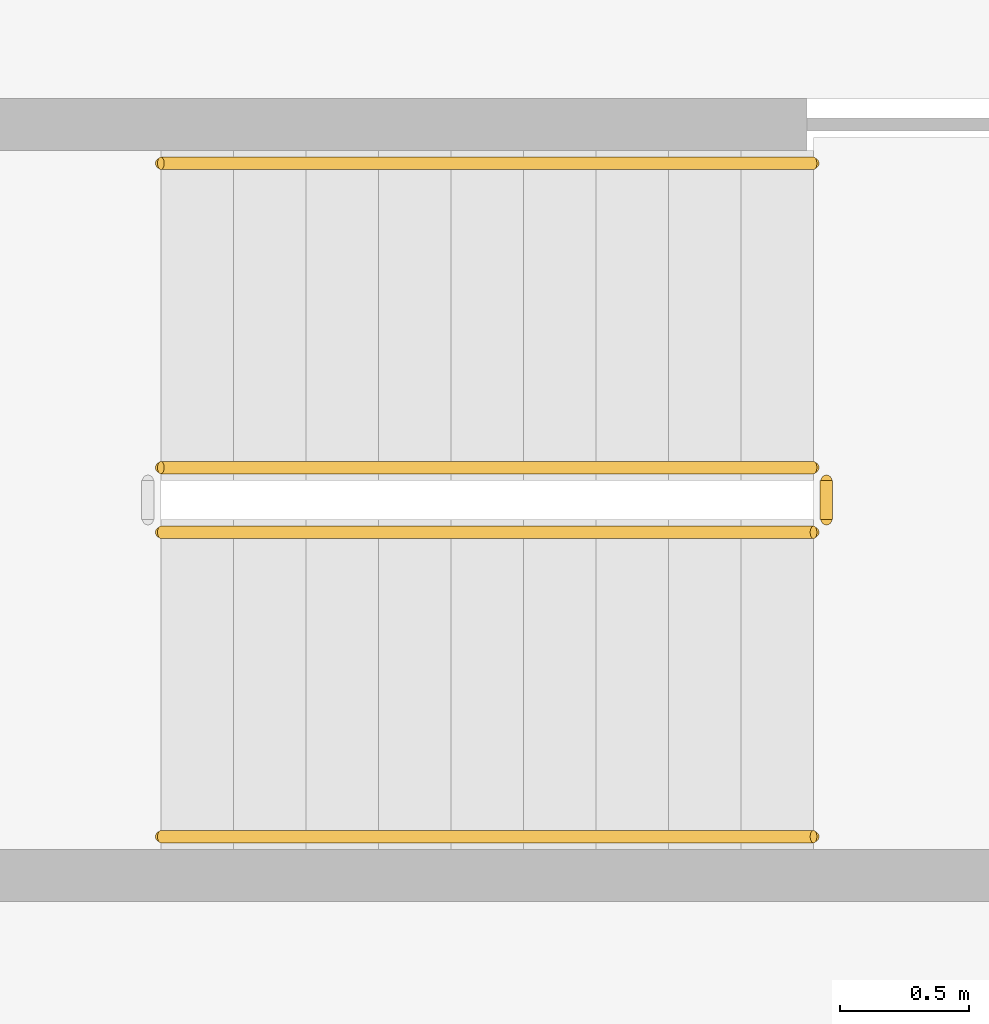
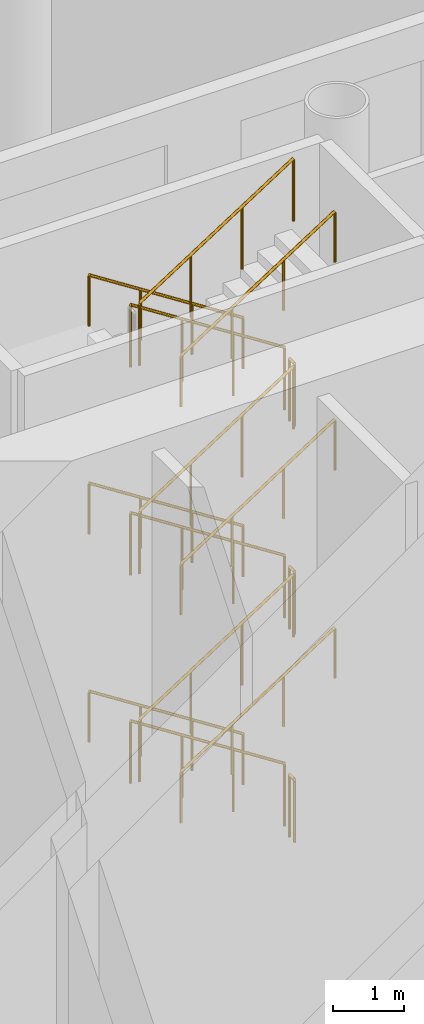
# One storey, part 17 of 18: 15 railings.
"""IFC4 building model written with IfcOpenShell, lengths in metres."""

from ifc_helpers import new_model, si_unit, direction, frame, origin, origin_2d, place, context, subcontext, project, spatial, circle, extrude, material, type_object, element, save


model = new_model("IFC4")

# Units and contexts
model_context = context("Model", 3, precision=1e-05, world=origin(), true_north=direction((0.0, 1.0)))
body_context = subcontext(model_context, "Body", "Model", "MODEL_VIEW")
ifc_project = project(units=[si_unit("LENGTHUNIT", "METRE"), si_unit("AREAUNIT", "SQUARE_METRE"), si_unit("VOLUMEUNIT", "CUBIC_METRE"), si_unit("PLANEANGLEUNIT", "RADIAN"), si_unit("MASSUNIT", "GRAM", prefix="KILO")], contexts=[model_context])

# Site, building, storey
site_placement = place(None, origin())
site = spatial("IfcSite", under=ifc_project, at=site_placement, CompositionType="ELEMENT")
building_placement = place(site_placement, origin())
building = spatial("IfcBuilding", under=site, at=building_placement, Name="Tskaro Facet Tower", CompositionType="ELEMENT")
storey_placement = place(building_placement, origin())
storey = spatial("IfcBuildingStorey", under=building, at=storey_placement, Name="L00", CompositionType="ELEMENT", Elevation=0.0)

# Railings
ifc_material = material(Name="Stainless steel", Category="steel")
railing_type_1 = type_object("IfcRailingType", Name="RL-GUARD-1100", PredefinedType="GUARDRAIL", material=ifc_material)
railing_1_placement = place(storey_placement, frame((-2.02490234375, 6.97509765625, 0.179931640625)))
element("IfcRailing", 1, at=railing_1_placement, inside=storey, type_object=railing_type_1, Name="L00 ST-3 stair guard 1", PredefinedType="GUARDRAIL", context=body_context, shape_type="SweptSolid", body=[
    extrude(circle(Radius=0.02392578125, at=origin_2d()), frame((0.0, 0.0, 1.076171875), z_axis=(-0.841162588446, 0.0, 0.540782303519), x_axis=(0.0, -1.0, 0.0)), (0.0, 0.0, 1.0), 2.995849609375),
    extrude(circle(Radius=0.02099609375, at=origin_2d()), origin(), (0.0, 0.0, 1.0), 1.052001953125),
    extrude(circle(Radius=0.02099609375, at=origin_2d()), frame((-0.840087890625, 0.0, 0.5400390625)), (0.0, 0.0, 1.0), 1.052001953125),
    extrude(circle(Radius=0.02099609375, at=origin_2d()), frame((-1.679931640625, 0.0, 1.080078125)), (0.0, 0.0, 1.0), 1.052001953125),
    extrude(circle(Radius=0.02099609375, at=origin_2d()), frame((-2.52001953125, 0.0, 1.6201171875)), (0.0, 0.0, 1.0), 1.052001953125),
])
railing_2_placement = place(storey_placement, frame((-4.544921875, 6.72509765625, 1.97998046875)))
element("IfcRailing", 2, at=railing_2_placement, inside=storey, type_object=railing_type_1, Name="L00 ST-3 stair guard 3", PredefinedType="GUARDRAIL", context=body_context, shape_type="SweptSolid", body=[
    extrude(circle(Radius=0.02392578125, at=origin_2d()), frame((0.0, 0.0, 1.076171875), z_axis=(0.841162588446, 0.0, 0.540782303519), x_axis=(0.0, 1.0, 0.0)), (0.0, 0.0, 1.0), 2.995849609375),
    extrude(circle(Radius=0.02099609375, at=origin_2d()), origin(), (0.0, 0.0, 1.0), 1.052001953125),
    extrude(circle(Radius=0.02099609375, at=origin_2d()), frame((0.840087890625, 0.0, 0.5400390625)), (0.0, 0.0, 1.0), 1.052001953125),
    extrude(circle(Radius=0.02099609375, at=origin_2d()), frame((1.679931640625, 0.0, 1.080078125)), (0.0, 0.0, 1.0), 1.052001953125),
    extrude(circle(Radius=0.02099609375, at=origin_2d()), frame((2.52001953125, 0.0, 1.6201171875)), (0.0, 0.0, 1.0), 1.052001953125),
])
railing_3_placement = place(storey_placement, frame((-1.97509765625, 6.925048828125, 3.60009765625)))
element("IfcRailing", 3, at=railing_3_placement, inside=storey, type_object=railing_type_1, Name="L00 ST-3 stair guard 4", PredefinedType="GUARDRAIL", context=body_context, shape_type="SweptSolid", body=[
    extrude(circle(Radius=0.02392578125, at=origin_2d()), frame((0.0, 0.0, 1.076171875), z_axis=(0.0, -1.0, 0.0), x_axis=(1.0, 0.0, 0.0)), (0.0, 0.0, 1.0), 0.150146484375),
    extrude(circle(Radius=0.02099609375, at=origin_2d()), origin(), (0.0, 0.0, 1.0), 1.052001953125),
    extrude(circle(Radius=0.02099609375, at=origin_2d()), frame((0.0, -0.150146484375, 0.0)), (0.0, 0.0, 1.0), 1.052001953125),
])
railing_4_placement = place(storey_placement, frame((-2.02490234375, 6.97509765625, 3.780029296875)))
element("IfcRailing", 4, at=railing_4_placement, inside=storey, type_object=railing_type_1, Name="L00 ST-3 stair guard 5", PredefinedType="GUARDRAIL", context=body_context, shape_type="SweptSolid", body=[
    extrude(circle(Radius=0.02392578125, at=origin_2d()), frame((0.0, 0.0, 1.076171875), z_axis=(-0.841199657755, 0.0, 0.540724639528), x_axis=(0.0, -1.0, 0.0)), (0.0, 0.0, 1.0), 2.995849609375),
    extrude(circle(Radius=0.02099609375, at=origin_2d()), origin(), (0.0, 0.0, 1.0), 1.052001953125),
    extrude(circle(Radius=0.02099609375, at=origin_2d()), frame((-0.840087890625, 0.0, 0.5400390625)), (0.0, 0.0, 1.0), 1.052001953125),
    extrude(circle(Radius=0.02099609375, at=origin_2d()), frame((-1.679931640625, 0.0, 1.079833984375)), (0.0, 0.0, 1.0), 1.052001953125),
    extrude(circle(Radius=0.02099609375, at=origin_2d()), frame((-2.52001953125, 0.0, 1.619873046875)), (0.0, 0.0, 1.0), 1.052001953125),
])
railing_5_placement = place(storey_placement, frame((-4.544921875, 6.72509765625, 5.580078125)))
element("IfcRailing", 5, at=railing_5_placement, inside=storey, type_object=railing_type_1, Name="L00 ST-3 stair guard 7", PredefinedType="GUARDRAIL", context=body_context, shape_type="SweptSolid", body=[
    extrude(circle(Radius=0.02392578125, at=origin_2d()), frame((0.0, 0.0, 1.076171875), z_axis=(0.841199657755, 0.0, 0.540724639528), x_axis=(0.0, 1.0, 0.0)), (0.0, 0.0, 1.0), 2.995849609375),
    extrude(circle(Radius=0.02099609375, at=origin_2d()), origin(), (0.0, 0.0, 1.0), 1.052001953125),
    extrude(circle(Radius=0.02099609375, at=origin_2d()), frame((0.840087890625, 0.0, 0.5400390625)), (0.0, 0.0, 1.0), 1.052001953125),
    extrude(circle(Radius=0.02099609375, at=origin_2d()), frame((1.679931640625, 0.0, 1.079833984375)), (0.0, 0.0, 1.0), 1.052001953125),
    extrude(circle(Radius=0.02099609375, at=origin_2d()), frame((2.52001953125, 0.0, 1.619873046875)), (0.0, 0.0, 1.0), 1.052001953125),
])
railing_6_placement = place(storey_placement, frame((-1.97509765625, 6.925048828125, 7.199951171875)))
element("IfcRailing", 6, at=railing_6_placement, inside=storey, type_object=railing_type_1, Name="L00 ST-3 stair guard 8", PredefinedType="GUARDRAIL", context=body_context, shape_type="SweptSolid", body=[
    extrude(circle(Radius=0.02392578125, at=origin_2d()), frame((0.0, 0.0, 1.076171875), z_axis=(0.0, -1.0, 0.0), x_axis=(1.0, 0.0, 0.0)), (0.0, 0.0, 1.0), 0.150146484375),
    extrude(circle(Radius=0.02099609375, at=origin_2d()), origin(), (0.0, 0.0, 1.0), 1.052001953125),
    extrude(circle(Radius=0.02099609375, at=origin_2d()), frame((0.0, -0.150146484375, 0.0)), (0.0, 0.0, 1.0), 1.052001953125),
])
railing_7_placement = place(storey_placement, frame((-2.02490234375, 6.97509765625, 7.3798828125)))
element("IfcRailing", 7, at=railing_7_placement, inside=storey, type_object=railing_type_1, Name="L00 ST-3 stair guard 9", PredefinedType="GUARDRAIL", context=body_context, shape_type="SweptSolid", body=[
    extrude(circle(Radius=0.02392578125, at=origin_2d()), frame((0.0, 0.0, 1.076171875), z_axis=(-0.841162588446, 0.0, 0.540782303519), x_axis=(0.0, -1.0, 0.0)), (0.0, 0.0, 1.0), 2.995849609375),
    extrude(circle(Radius=0.02099609375, at=origin_2d()), origin(), (0.0, 0.0, 1.0), 1.052001953125),
    extrude(circle(Radius=0.02099609375, at=origin_2d()), frame((-0.840087890625, 0.0, 0.5400390625)), (0.0, 0.0, 1.0), 1.052001953125),
    extrude(circle(Radius=0.02099609375, at=origin_2d()), frame((-1.679931640625, 0.0, 1.080078125)), (0.0, 0.0, 1.0), 1.052001953125),
    extrude(circle(Radius=0.02099609375, at=origin_2d()), frame((-2.52001953125, 0.0, 1.6201171875)), (0.0, 0.0, 1.0), 1.052001953125),
])
railing_8_placement = place(storey_placement, frame((-4.544921875, 6.72509765625, 9.179931640625)))
element("IfcRailing", 8, at=railing_8_placement, inside=storey, type_object=railing_type_1, Name="L00 ST-3 stair guard 11", PredefinedType="GUARDRAIL", context=body_context, shape_type="SweptSolid", body=[
    extrude(circle(Radius=0.02392578125, at=origin_2d()), frame((0.0, 0.0, 1.076171875), z_axis=(0.841162588446, 0.0, 0.540782303519), x_axis=(0.0, 1.0, 0.0)), (0.0, 0.0, 1.0), 2.995849609375),
    extrude(circle(Radius=0.02099609375, at=origin_2d()), origin(), (0.0, 0.0, 1.0), 1.052001953125),
    extrude(circle(Radius=0.02099609375, at=origin_2d()), frame((0.840087890625, 0.0, 0.5400390625)), (0.0, 0.0, 1.0), 1.052001953125),
    extrude(circle(Radius=0.02099609375, at=origin_2d()), frame((1.679931640625, 0.0, 1.080078125)), (0.0, 0.0, 1.0), 1.052001953125),
    extrude(circle(Radius=0.02099609375, at=origin_2d()), frame((2.52001953125, 0.0, 1.6201171875)), (0.0, 0.0, 1.0), 1.052001953125),
])
railing_9_placement = place(storey_placement, frame((-1.97509765625, 6.925048828125, 0.0)))
element("IfcRailing", 9, at=railing_9_placement, inside=storey, type_object=railing_type_1, Name="L00 ST-3 stair guard 12", PredefinedType="GUARDRAIL", context=body_context, shape_type="SweptSolid", body=[
    extrude(circle(Radius=0.02392578125, at=origin_2d()), frame((0.0, 0.0, 1.076171875), z_axis=(0.0, -1.0, 0.0), x_axis=(1.0, 0.0, 0.0)), (0.0, 0.0, 1.0), 0.150146484375),
    extrude(circle(Radius=0.02099609375, at=origin_2d()), origin(), (0.0, 0.0, 1.0), 1.052001953125),
    extrude(circle(Radius=0.02099609375, at=origin_2d()), frame((0.0, -0.150146484375, 0.0)), (0.0, 0.0, 1.0), 1.052001953125),
])
railing_type_2 = type_object("IfcRailingType", Name="RL-HANDRAIL-900", PredefinedType="HANDRAIL", material=ifc_material)
railing_10_placement = place(storey_placement, frame((-2.02490234375, 8.14990234375, 0.179931640625)))
element("IfcRailing", 10, at=railing_10_placement, inside=storey, type_object=railing_type_2, Name="L00 ST-3 stair handrail 1", PredefinedType="HANDRAIL", context=body_context, shape_type="SweptSolid", body=[
    extrude(circle(Radius=0.02392578125, at=origin_2d()), frame((0.0, 0.0, 0.8759765625), z_axis=(-0.841162588446, 0.0, 0.540782303519), x_axis=(0.0, -1.0, 0.0)), (0.0, 0.0, 1.0), 2.995849609375),
    extrude(circle(Radius=0.02099609375, at=origin_2d()), origin(), (0.0, 0.0, 1.0), 0.851806640625),
    extrude(circle(Radius=0.02099609375, at=origin_2d()), frame((-0.840087890625, 0.0, 0.5400390625)), (0.0, 0.0, 1.0), 0.851806640625),
    extrude(circle(Radius=0.02099609375, at=origin_2d()), frame((-1.679931640625, 0.0, 1.080078125)), (0.0, 0.0, 1.0), 0.851806640625),
    extrude(circle(Radius=0.02099609375, at=origin_2d()), frame((-2.52001953125, 0.0, 1.6201171875)), (0.0, 0.0, 1.0), 0.851806640625),
])
railing_11_placement = place(storey_placement, frame((-4.544921875, 5.550048828125, 1.97998046875)))
element("IfcRailing", 11, at=railing_11_placement, inside=storey, type_object=railing_type_2, Name="L00 ST-3 stair handrail 2", PredefinedType="HANDRAIL", context=body_context, shape_type="SweptSolid", body=[
    extrude(circle(Radius=0.02392578125, at=origin_2d()), frame((0.0, 0.0, 0.8759765625), z_axis=(0.841162588446, 0.0, 0.540782303519), x_axis=(0.0, 1.0, 0.0)), (0.0, 0.0, 1.0), 2.995849609375),
    extrude(circle(Radius=0.02099609375, at=origin_2d()), origin(), (0.0, 0.0, 1.0), 0.851806640625),
    extrude(circle(Radius=0.02099609375, at=origin_2d()), frame((0.840087890625, 0.0, 0.5400390625)), (0.0, 0.0, 1.0), 0.851806640625),
    extrude(circle(Radius=0.02099609375, at=origin_2d()), frame((1.679931640625, 0.0, 1.080078125)), (0.0, 0.0, 1.0), 0.851806640625),
    extrude(circle(Radius=0.02099609375, at=origin_2d()), frame((2.52001953125, 0.0, 1.6201171875)), (0.0, 0.0, 1.0), 0.851806640625),
])
railing_12_placement = place(storey_placement, frame((-2.02490234375, 8.14990234375, 3.780029296875)))
element("IfcRailing", 12, at=railing_12_placement, inside=storey, type_object=railing_type_2, Name="L00 ST-3 stair handrail 3", PredefinedType="HANDRAIL", context=body_context, shape_type="SweptSolid", body=[
    extrude(circle(Radius=0.02392578125, at=origin_2d()), frame((0.0, 0.0, 0.8759765625), z_axis=(-0.841199657755, 0.0, 0.540724639528), x_axis=(0.0, -1.0, 0.0)), (0.0, 0.0, 1.0), 2.995849609375),
    extrude(circle(Radius=0.02099609375, at=origin_2d()), origin(), (0.0, 0.0, 1.0), 0.851806640625),
    extrude(circle(Radius=0.02099609375, at=origin_2d()), frame((-0.840087890625, 0.0, 0.5400390625)), (0.0, 0.0, 1.0), 0.851806640625),
    extrude(circle(Radius=0.02099609375, at=origin_2d()), frame((-1.679931640625, 0.0, 1.079833984375)), (0.0, 0.0, 1.0), 0.851806640625),
    extrude(circle(Radius=0.02099609375, at=origin_2d()), frame((-2.52001953125, 0.0, 1.619873046875)), (0.0, 0.0, 1.0), 0.851806640625),
])
railing_13_placement = place(storey_placement, frame((-4.544921875, 5.550048828125, 5.580078125)))
element("IfcRailing", 13, at=railing_13_placement, inside=storey, type_object=railing_type_2, Name="L00 ST-3 stair handrail 4", PredefinedType="HANDRAIL", context=body_context, shape_type="SweptSolid", body=[
    extrude(circle(Radius=0.02392578125, at=origin_2d()), frame((0.0, 0.0, 0.8759765625), z_axis=(0.841199657755, 0.0, 0.540724639528), x_axis=(0.0, 1.0, 0.0)), (0.0, 0.0, 1.0), 2.995849609375),
    extrude(circle(Radius=0.02099609375, at=origin_2d()), origin(), (0.0, 0.0, 1.0), 0.851806640625),
    extrude(circle(Radius=0.02099609375, at=origin_2d()), frame((0.840087890625, 0.0, 0.5400390625)), (0.0, 0.0, 1.0), 0.851806640625),
    extrude(circle(Radius=0.02099609375, at=origin_2d()), frame((1.679931640625, 0.0, 1.079833984375)), (0.0, 0.0, 1.0), 0.851806640625),
    extrude(circle(Radius=0.02099609375, at=origin_2d()), frame((2.52001953125, 0.0, 1.619873046875)), (0.0, 0.0, 1.0), 0.851806640625),
])
railing_14_placement = place(storey_placement, frame((-2.02490234375, 8.14990234375, 7.3798828125)))
element("IfcRailing", 14, at=railing_14_placement, inside=storey, type_object=railing_type_2, Name="L00 ST-3 stair handrail 5", PredefinedType="HANDRAIL", context=body_context, shape_type="SweptSolid", body=[
    extrude(circle(Radius=0.02392578125, at=origin_2d()), frame((0.0, 0.0, 0.8759765625), z_axis=(-0.841162588446, 0.0, 0.540782303519), x_axis=(0.0, -1.0, 0.0)), (0.0, 0.0, 1.0), 2.995849609375),
    extrude(circle(Radius=0.02099609375, at=origin_2d()), origin(), (0.0, 0.0, 1.0), 0.851806640625),
    extrude(circle(Radius=0.02099609375, at=origin_2d()), frame((-0.840087890625, 0.0, 0.5400390625)), (0.0, 0.0, 1.0), 0.851806640625),
    extrude(circle(Radius=0.02099609375, at=origin_2d()), frame((-1.679931640625, 0.0, 1.080078125)), (0.0, 0.0, 1.0), 0.851806640625),
    extrude(circle(Radius=0.02099609375, at=origin_2d()), frame((-2.52001953125, 0.0, 1.6201171875)), (0.0, 0.0, 1.0), 0.851806640625),
])
railing_15_placement = place(storey_placement, frame((-4.544921875, 5.550048828125, 9.179931640625)))
element("IfcRailing", 15, at=railing_15_placement, inside=storey, type_object=railing_type_2, Name="L00 ST-3 stair handrail 6", PredefinedType="HANDRAIL", context=body_context, shape_type="SweptSolid", body=[
    extrude(circle(Radius=0.02392578125, at=origin_2d()), frame((0.0, 0.0, 0.8759765625), z_axis=(0.841162588446, 0.0, 0.540782303519), x_axis=(0.0, 1.0, 0.0)), (0.0, 0.0, 1.0), 2.995849609375),
    extrude(circle(Radius=0.02099609375, at=origin_2d()), origin(), (0.0, 0.0, 1.0), 0.851806640625),
    extrude(circle(Radius=0.02099609375, at=origin_2d()), frame((0.840087890625, 0.0, 0.5400390625)), (0.0, 0.0, 1.0), 0.851806640625),
    extrude(circle(Radius=0.02099609375, at=origin_2d()), frame((1.679931640625, 0.0, 1.080078125)), (0.0, 0.0, 1.0), 0.851806640625),
    extrude(circle(Radius=0.02099609375, at=origin_2d()), frame((2.52001953125, 0.0, 1.6201171875)), (0.0, 0.0, 1.0), 0.851806640625),
])

save(model, "model.ifc")
